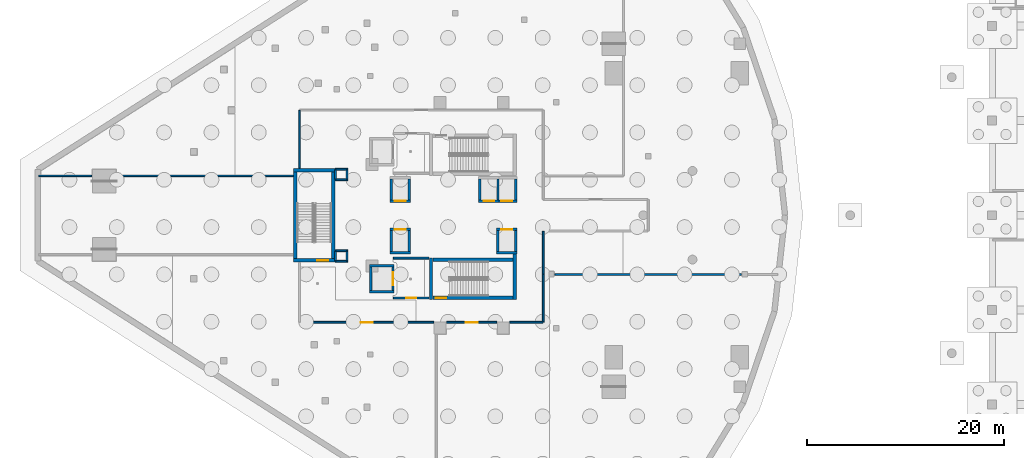
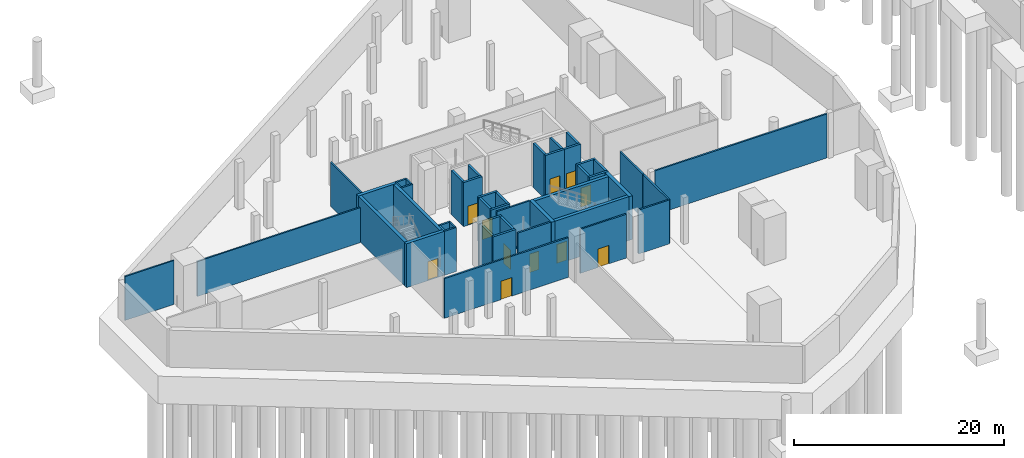
# One storey, part 5 of 22: 47 walls, 11 doors, 11 openings.
"""IFC4 building model written with IfcOpenShell, lengths in metres."""

from ifc_helpers import new_model, si_unit, direction, frame, frame_2d, origin, place, context, subcontext, project, spatial, rectangle, extrude, material, layer, layer_set, type_object, element, fill, save


model = new_model("IFC4")

# Units and contexts
model_context = context("Model", 3, precision=1e-05, world=origin(), true_north=direction((0.0, 1.0)))
body_context = subcontext(model_context, "Body", "Model", "MODEL_VIEW")
ifc_project = project(units=[si_unit("LENGTHUNIT", "METRE"), si_unit("AREAUNIT", "SQUARE_METRE"), si_unit("VOLUMEUNIT", "CUBIC_METRE"), si_unit("PLANEANGLEUNIT", "RADIAN"), si_unit("MASSUNIT", "GRAM", prefix="KILO")], contexts=[model_context])

# Site, building, storey
site_placement = place(None, origin())
site = spatial("IfcSite", under=ifc_project, at=site_placement, CompositionType="ELEMENT")
building_placement = place(site_placement, origin())
building = spatial("IfcBuilding", under=site, at=building_placement, Name="Qorvath Tower", CompositionType="ELEMENT")
storey_placement = place(building_placement, frame((0.0, 0.0, -5.39990234375)))
storey = spatial("IfcBuildingStorey", under=building, at=storey_placement, Name="B01", CompositionType="ELEMENT", Elevation=-5.39990234375)

# Walls
ifc_material_1 = material(Name="Gypsum shaftliner on steel studs", Category="steel")
ifc_layer_1 = layer(ifc_material_1, 0.179931640625)
ifc_layer_set_1 = layer_set([ifc_layer_1], Name="FW-LOBBY")
wall_type_1 = type_object("IfcWallType", Name="FW-LOBBY", PredefinedType="PARTITIONING", material=ifc_layer_set_1)
for number, where, z_axis, x_axis, name in (
    (1, (-32.989990234375, 3.594970703125, 0.0), (0.0, 0.0, 1.0), (-1.0, 0.0, 0.0), "MEP Riser Shaft Enclosure Wall N-B01-S"),
    (2, (-34.260009765625, 4.675048828125, 0.0), (0.0, 0.0, 1.0), (1.0, 0.0, 0.0), "MEP Riser Shaft Enclosure Wall N-B01-N"),
):
    element("IfcWall", number, at=place(storey_placement, frame(where, z_axis=z_axis, x_axis=x_axis)), inside=storey, type_object=wall_type_1, Name=name, PredefinedType="PARTITIONING", context=body_context, shape_type="SweptSolid", body=[
        extrude(rectangle(XDim=1.27001953125, YDim=0.179931640625, at=frame_2d((0.635009765625, 0.0))), origin(), (0.0, 0.0, 1.0), 5.099853515625),
    ])
for number, where, z_axis, x_axis, name in (
    (3, (-34.205078125, 3.659912109375, 0.0), (0.0, 0.0, 1.0), (0.0, 1.0, 0.0), "MEP Riser Shaft Enclosure Wall N-B01-W"),
    (4, (-33.044921875, 4.610107421875, 0.0), (0.0, 0.0, 1.0), (0.0, -1.0, 0.0), "MEP Riser Shaft Enclosure Wall N-B01-E"),
):
    element("IfcWall", number, at=place(storey_placement, frame(where, z_axis=z_axis, x_axis=x_axis)), inside=storey, type_object=wall_type_1, Name=name, PredefinedType="PARTITIONING", context=body_context, shape_type="SweptSolid", body=[
        extrude(rectangle(XDim=0.9501953125, YDim=0.179931640625, at=frame_2d((0.47509765625, 0.0))), origin(), (0.0, 0.0, 1.0), 5.099853515625),
    ])
for number, where, z_axis, x_axis, name in (
    (5, (-32.989990234375, -4.675048828125, 0.0), (0.0, 0.0, 1.0), (-1.0, 0.0, 0.0), "MEP Riser Shaft Enclosure Wall S-B01-S"),
    (6, (-34.260009765625, -3.594970703125, 0.0), (0.0, 0.0, 1.0), (1.0, 0.0, 0.0), "MEP Riser Shaft Enclosure Wall S-B01-N"),
):
    element("IfcWall", number, at=place(storey_placement, frame(where, z_axis=z_axis, x_axis=x_axis)), inside=storey, type_object=wall_type_1, Name=name, PredefinedType="PARTITIONING", context=body_context, shape_type="SweptSolid", body=[
        extrude(rectangle(XDim=1.27001953125, YDim=0.179931640625, at=frame_2d((0.635009765625, 0.0))), origin(), (0.0, 0.0, 1.0), 5.099853515625),
    ])
for number, where, z_axis, x_axis, name in (
    (7, (-34.205078125, -4.610107421875, 0.0), (0.0, 0.0, 1.0), (0.0, 1.0, 0.0), "MEP Riser Shaft Enclosure Wall S-B01-W"),
    (8, (-33.044921875, -3.659912109375, 0.0), (0.0, 0.0, 1.0), (0.0, -1.0, 0.0), "MEP Riser Shaft Enclosure Wall S-B01-E"),
):
    element("IfcWall", number, at=place(storey_placement, frame(where, z_axis=z_axis, x_axis=x_axis)), inside=storey, type_object=wall_type_1, Name=name, PredefinedType="PARTITIONING", context=body_context, shape_type="SweptSolid", body=[
        extrude(rectangle(XDim=0.9501953125, YDim=0.179931640625, at=frame_2d((0.47509765625, 0.0))), origin(), (0.0, 0.0, 1.0), 5.099853515625),
    ])

# Wall, opening, door
wall_1_placement = place(storey_placement, frame((-28.35498046875, -8.39990234375, 0.0), z_axis=(0.0, 0.0, 1.0), x_axis=(1.0, 0.0, 0.0)))
wall_1 = element("IfcWall", 9, at=wall_1_placement, inside=storey, type_object=wall_type_1, Name="Interior Partition IW-T1-B01-003", PredefinedType="PARTITIONING", context=body_context, shape_type="SweptSolid", body=[
    extrude(rectangle(XDim=3.6220703125, YDim=0.179931640625, at=frame_2d((1.81103515625, 0.0))), origin(), (0.0, 0.0, 1.0), 5.099853515625),
])
opening_1_placement = place(wall_1_placement, frame((1.31103515625, 0.0, 0.0)))
opening_1 = element("IfcOpeningElement", 10, at=opening_1_placement, cuts=wall_1, Name="Opening D-T1-B01-06", PredefinedType="OPENING", context=body_context, shape_type="SweptSolid", body=[
    extrude(rectangle(XDim=1.0, YDim=2.14990234375, at=frame_2d((0.5, 1.074951171875))), frame((0.0, 0.10009765625, 0.0), z_axis=(0.0, -1.0, 0.0), x_axis=(1.0, 0.0, 0.0)), (0.0, 0.0, 1.0), 0.199951171875),
])
ifc_material_2 = material(Name="Painted galvanised hollow metal", Category="steel")
door_type_1 = type_object("IfcDoorType", Name="FD-60", OperationType="NOTDEFINED", PredefinedType="DOOR", material=ifc_material_2)
door_1_placement = place(opening_1_placement, origin())
door_1 = element("IfcDoor", 11, at=door_1_placement, inside=storey, type_object=door_type_1, Name="Lobby Fire Service Elevator South Door D-T1-B01-06", OperationType="SINGLE_SWING_LEFT", OverallHeight=2.14990234375, OverallWidth=1.0, PredefinedType="DOOR", context=body_context, shape_type="SweptSolid", body=[
    extrude(rectangle(XDim=1.0, YDim=2.14990234375, at=frame_2d((0.5, 1.074951171875))), frame((0.0, 0.02490234375, 0.0), z_axis=(0.0, -1.0, 0.0), x_axis=(1.0, 0.0, 0.0)), (0.0, 0.0, 1.0), 0.050048828125),
])
fill(opening_1, door_1)

# Wall
wall_2_placement = place(storey_placement, frame((-24.73291015625, -4.35009765625, 0.0), z_axis=(0.0, 0.0, 1.0), x_axis=(-1.0, 0.0, 0.0)))
element("IfcWall", 12, at=wall_2_placement, inside=storey, type_object=wall_type_1, Name="Interior Partition IW-T1-B01-004", PredefinedType="PARTITIONING", context=body_context, shape_type="SweptSolid", body=[
    extrude(rectangle(XDim=3.6220703125, YDim=0.179931640625, at=frame_2d((1.81103515625, 0.0))), origin(), (0.0, 0.0, 1.0), 5.099853515625),
])

# Wall, opening, door
wall_3_placement = place(storey_placement, frame((-24.264892578125, -10.85791015625, 0.0), z_axis=(0.0, 0.0, 1.0), x_axis=(-1.0, 0.0, 0.0)))
wall_3 = element("IfcWall", 13, at=wall_3_placement, inside=storey, type_object=wall_type_1, Name="Interior Partition IW-T1-B01-014", PredefinedType="PARTITIONING", context=body_context, shape_type="SweptSolid", body=[
    extrude(rectangle(XDim=13.568115234375, YDim=0.179931640625, at=frame_2d((6.7841796875, 0.0))), origin(), (0.0, 0.0, 1.0), 4.61279296875),
])
opening_2_placement = place(wall_3_placement, frame((6.18408203125, 0.0, 0.0)))
opening_2 = element("IfcOpeningElement", 14, at=opening_2_placement, cuts=wall_3, Name="Opening D-T1-B01-02", PredefinedType="OPENING", context=body_context, shape_type="SweptSolid", body=[
    extrude(rectangle(XDim=1.199951171875, YDim=2.14990234375, at=frame_2d((0.60009765625, 1.074951171875))), frame((0.0, 0.10009765625, 0.0), z_axis=(0.0, -1.0, 0.0), x_axis=(1.0, 0.0, 0.0)), (0.0, 0.0, 1.0), 0.199951171875),
])
ifc_material_3 = material(Name="Painted galvanised hollow metal", Category="steel")
door_type_2 = type_object("IfcDoorType", Name="FD-60W", OperationType="NOTDEFINED", PredefinedType="DOOR", material=ifc_material_3)
door_2_placement = place(opening_2_placement, origin())
door_2 = element("IfcDoor", 15, at=door_2_placement, inside=storey, type_object=door_type_2, Name="Plant Booster and Fire Pump Room Door D-T1-B01-02", OperationType="SINGLE_SWING_LEFT", OverallHeight=2.14990234375, OverallWidth=1.199951171875, PredefinedType="DOOR", context=body_context, shape_type="SweptSolid", body=[
    extrude(rectangle(XDim=1.199951171875, YDim=2.14990234375, at=frame_2d((0.60009765625, 1.074951171875))), frame((0.0, 0.02490234375, 0.0), z_axis=(0.0, -1.0, 0.0), x_axis=(1.0, 0.0, 0.0)), (0.0, 0.0, 1.0), 0.050048828125),
])
fill(opening_2, door_2)

# Walls
wall_4_placement = place(storey_placement, frame((6.9599609375, -6.0, 0.0), z_axis=(0.0, 0.0, 1.0), x_axis=(-1.0, 0.0, 0.0)))
element("IfcWall", 16, at=wall_4_placement, inside=storey, type_object=wall_type_1, Name="Interior Partition IW-T1-B01-019", PredefinedType="PARTITIONING", context=body_context, shape_type="SweptSolid", body=[
    extrude(rectangle(XDim=18.919921875, YDim=0.179931640625, at=frame_2d((9.4599609375, 0.0))), origin(), (0.0, 0.0, 1.0), 5.099853515625),
])
wall_5_placement = place(storey_placement, frame((-13.14208984375, -6.02490234375, 0.0), z_axis=(0.0, 0.0, 1.0), x_axis=(0.0, -1.0, 0.0)))
element("IfcWall", 17, at=wall_5_placement, inside=storey, type_object=wall_type_1, Name="Interior Partition IW-T1-B01-020", PredefinedType="PARTITIONING", context=body_context, shape_type="SweptSolid", body=[
    extrude(rectangle(XDim=4.80810546875, YDim=0.179931640625, at=frame_2d((2.404052734375, 0.0))), origin(), (0.0, 0.0, 1.0), 5.099853515625),
])
wall_6_placement = place(storey_placement, frame((-13.1669921875, -10.85791015625, 0.0), z_axis=(0.0, 0.0, 1.0), x_axis=(-1.0, 0.0, 0.0)))
element("IfcWall", 18, at=wall_6_placement, inside=storey, type_object=wall_type_1, Name="Interior Partition IW-T1-B01-021", PredefinedType="PARTITIONING", context=body_context, shape_type="SweptSolid", body=[
    extrude(rectangle(XDim=3.367919921875, YDim=0.179931640625, at=frame_2d((1.68408203125, 0.0))), origin(), (0.0, 0.0, 1.0), 5.099853515625),
])

# Wall, opening, door
wall_7_placement = place(storey_placement, frame((-17.864990234375, -10.85791015625, 0.0), z_axis=(0.0, 0.0, 1.0), x_axis=(-1.0, 0.0, 0.0)))
wall_7 = element("IfcWall", 19, at=wall_7_placement, inside=storey, type_object=wall_type_1, Name="Interior Partition IW-T1-B01-022", PredefinedType="PARTITIONING", context=body_context, shape_type="SweptSolid", body=[
    extrude(rectangle(XDim=5.070068359375, YDim=0.179931640625, at=frame_2d((2.53515625, 0.0))), origin(), (0.0, 0.0, 1.0), 5.099853515625),
])
opening_3_placement = place(wall_7_placement, frame((1.93505859375, 0.0, 0.0)))
opening_3 = element("IfcOpeningElement", 20, at=opening_3_placement, cuts=wall_7, Name="Opening D-T1-B01-03", PredefinedType="OPENING", context=body_context, shape_type="SweptSolid", body=[
    extrude(rectangle(XDim=1.199951171875, YDim=2.14990234375, at=frame_2d((0.60009765625, 1.074951171875))), frame((0.0, 0.10009765625, 0.0), z_axis=(0.0, -1.0, 0.0), x_axis=(1.0, 0.0, 0.0)), (0.0, 0.0, 1.0), 0.199951171875),
])
door_3_placement = place(opening_3_placement, origin())
door_3 = element("IfcDoor", 21, at=door_3_placement, inside=storey, type_object=door_type_2, Name="Plant Electrical Substation Vault Door D-T1-B01-03", OperationType="SINGLE_SWING_RIGHT", OverallHeight=2.14990234375, OverallWidth=1.199951171875, PredefinedType="DOOR", context=body_context, shape_type="SweptSolid", body=[
    extrude(rectangle(XDim=1.199951171875, YDim=2.14990234375, at=frame_2d((0.60009765625, 1.074951171875))), frame((0.0, 0.02490234375, 0.0), z_axis=(0.0, -1.0, 0.0), x_axis=(1.0, 0.0, 0.0)), (0.0, 0.0, 1.0), 0.050048828125),
])
fill(opening_3, door_3)

# Walls
wall_8_placement = place(storey_placement, frame((-13.14208984375, -1.6328125, 0.0), z_axis=(0.0, 0.0, 1.0), x_axis=(0.0, -1.0, 0.0)))
element("IfcWall", 22, at=wall_8_placement, inside=storey, type_object=wall_type_1, Name="Interior Partition IW-T1-B01-027", PredefinedType="PARTITIONING", context=body_context, shape_type="SweptSolid", body=[
    extrude(rectangle(XDim=4.333984375, YDim=0.179931640625, at=frame_2d((2.1669921875, 0.0))), origin(), (0.0, 0.0, 1.0), 5.099853515625),
])
ifc_material_4 = material(Name="Double acoustic gypsum board on steel studs", Category="steel")
ifc_layer_2 = layer(ifc_material_4, 0.159912109375)
ifc_layer_set_2 = layer_set([ifc_layer_2], Name="IW-ACOUSTIC-160")
wall_type_2 = type_object("IfcWallType", Name="IW-ACOUSTIC-160", PredefinedType="PARTITIONING", material=ifc_layer_set_2)
wall_9_placement = place(storey_placement, frame((-64.339111328125, 4.0, 0.0), z_axis=(0.0, 0.0, 1.0), x_axis=(1.0, 0.0, 0.0)))
element("IfcWall", 23, at=wall_9_placement, inside=storey, type_object=wall_type_2, Name="Interior Partition IW-T1-B01-005", PredefinedType="PARTITIONING", context=body_context, shape_type="SweptSolid", body=[
    extrude(rectangle(XDim=5.39404296875, YDim=0.159912109375, at=frame_2d((2.697021484375, 0.0))), origin(), (0.0, 0.0, 1.0), 5.099853515625),
])
wall_10_placement = place(storey_placement, frame((-56.4150390625, 4.0, 0.0), z_axis=(0.0, 0.0, 1.0), x_axis=(1.0, 0.0, 0.0)))
element("IfcWall", 24, at=wall_10_placement, inside=storey, type_object=wall_type_2, Name="Interior Partition IW-T1-B01-006", PredefinedType="PARTITIONING", context=body_context, shape_type="SweptSolid", body=[
    extrude(rectangle(XDim=17.922119140625, YDim=0.159912109375, at=frame_2d((8.9609375, 0.0))), origin(), (0.0, 0.0, 1.0), 4.06982421875),
])
wall_11_placement = place(storey_placement, frame((-37.85791015625, 10.633056640625, 0.0), z_axis=(0.0, 0.0, 1.0), x_axis=(0.0, -1.0, 0.0)))
element("IfcWall", 25, at=wall_11_placement, inside=storey, type_object=wall_type_2, Name="Interior Partition IW-T1-B01-007", PredefinedType="PARTITIONING", context=body_context, shape_type="SweptSolid", body=[
    extrude(rectangle(XDim=5.849853515625, YDim=0.159912109375, at=frame_2d((2.9248046875, 0.0))), origin(), (0.0, 0.0, 1.0), 5.099853515625),
])
ifc_material_5 = material(Name="Concrete C60/75", Category="concrete")
ifc_layer_3 = layer(ifc_material_5, 0.260009765625)
ifc_layer_set_3 = layer_set([ifc_layer_3], Name="SW-SHAFT")
wall_type_3 = type_object("IfcWallType", Name="SW-SHAFT", PredefinedType="SHEAR", material=ifc_layer_set_3)
for number, where, z_axis, x_axis, name in (
    (26, (-28.260009765625, -7.77001953125, 0.0), (0.0, 0.0, 1.0), (-1.0, 0.0, 0.0), "Hoistway Wall FSAE-2 B01 S"),
    (27, (-30.739990234375, -5.1298828125, 0.0), (0.0, 0.0, 1.0), (1.0, 0.0, 0.0), "Hoistway Wall FSAE-2 B01 N"),
):
    element("IfcWall", number, at=place(storey_placement, frame(where, z_axis=z_axis, x_axis=x_axis)), inside=storey, type_object=wall_type_3, Name=name, PredefinedType="SHEAR", context=body_context, shape_type="SweptSolid", body=[
        extrude(rectangle(XDim=2.47998046875, YDim=0.239990234375, at=frame_2d((1.239990234375, 0.0))), origin(), (0.0, 0.0, 1.0), 5.099853515625),
    ])
wall_12_placement = place(storey_placement, frame((-30.6201171875, -7.637939453125, 0.0), z_axis=(0.0, 0.0, 1.0), x_axis=(0.0, 1.0, 0.0)))
element("IfcWall", 28, at=wall_12_placement, inside=storey, type_object=wall_type_3, Name="Hoistway Wall FSAE-2 B01 W", PredefinedType="SHEAR", context=body_context, shape_type="SweptSolid", body=[
    extrude(rectangle(XDim=2.3759765625, YDim=0.239990234375, at=frame_2d((1.18798828125, 0.0))), origin(), (0.0, 0.0, 1.0), 5.099853515625),
])

# Wall, opening, door
wall_13_placement = place(storey_placement, frame((-28.3798828125, -5.261962890625, 0.0), z_axis=(0.0, 0.0, 1.0), x_axis=(0.0, -1.0, 0.0)))
wall_13 = element("IfcWall", 29, at=wall_13_placement, inside=storey, type_object=wall_type_3, Name="Hoistway Wall FSAE-2 B01 E", PredefinedType="SHEAR", context=body_context, shape_type="SweptSolid", body=[
    extrude(rectangle(XDim=2.3759765625, YDim=0.239990234375, at=frame_2d((1.18798828125, 0.0))), origin(), (0.0, 0.0, 1.0), 5.099853515625),
])
opening_4_placement = place(wall_13_placement, frame((0.5380859375, 0.0, 0.0)))
opening_4 = element("IfcOpeningElement", 30, at=opening_4_placement, cuts=wall_13, Name="Opening LD-FSAE-2-B01", PredefinedType="OPENING", context=body_context, shape_type="SweptSolid", body=[
    extrude(rectangle(XDim=1.300048828125, YDim=2.300048828125, at=frame_2d((0.64990234375, 1.14990234375))), frame((0.0, 0.1298828125, 0.0), z_axis=(0.0, -1.0, 0.0), x_axis=(1.0, 0.0, 0.0)), (0.0, 0.0, 1.0), 0.260009765625),
])
ifc_material_6 = material(Name="Brushed stainless steel AISI 316", Category="steel")
door_type_3 = type_object("IfcDoorType", Name="LD-02", OperationType="NOTDEFINED", PredefinedType="DOOR", material=ifc_material_6)
door_4_placement = place(opening_4_placement, origin())
door_4 = element("IfcDoor", 31, at=door_4_placement, inside=storey, type_object=door_type_3, Name="Elevator Landing Sliding Door LD-FSAE-2-B01", OperationType="DOUBLE_DOOR_SLIDING", OverallHeight=2.300048828125, OverallWidth=1.300048828125, PredefinedType="DOOR", context=body_context, shape_type="SweptSolid", body=[
    extrude(rectangle(XDim=1.300048828125, YDim=2.300048828125, at=frame_2d((0.64990234375, 1.14990234375))), frame((0.0, 0.02490234375, 0.0), z_axis=(0.0, -1.0, 0.0), x_axis=(1.0, 0.0, 0.0)), (0.0, 0.0, 1.0), 0.050048828125),
])
fill(opening_4, door_4)

wall_14_placement = place(storey_placement, frame((-26.610107421875, 1.429931640625, 0.0), z_axis=(0.0, 0.0, 1.0), x_axis=(-1.0, 0.0, 0.0)))
wall_14 = element("IfcWall", 32, at=wall_14_placement, inside=storey, type_object=wall_type_3, Name="Hoistway Wall PS-1 B01 S", PredefinedType="SHEAR", context=body_context, shape_type="SweptSolid", body=[
    extrude(rectangle(XDim=2.079833984375, YDim=0.239990234375, at=frame_2d((1.0400390625, 0.0))), origin(), (0.0, 0.0, 1.0), 5.099853515625),
])
opening_5_placement = place(wall_14_placement, frame((0.48974609375, 0.0, 0.0)))
opening_5 = element("IfcOpeningElement", 33, at=opening_5_placement, cuts=wall_14, Name="Opening LD-PS-1-B01", PredefinedType="OPENING", context=body_context, shape_type="SweptSolid", body=[
    extrude(rectangle(XDim=1.10009765625, YDim=2.199951171875, at=frame_2d((0.550048828125, 1.10009765625))), frame((0.0, 0.1298828125, 0.0), z_axis=(0.0, -1.0, 0.0), x_axis=(1.0, 0.0, 0.0)), (0.0, 0.0, 1.0), 0.260009765625),
])
ifc_material_7 = material(Name="Brushed stainless steel AISI 316", Category="steel")
door_type_4 = type_object("IfcDoorType", Name="LD-01", OperationType="NOTDEFINED", PredefinedType="DOOR", material=ifc_material_7)
door_5_placement = place(opening_5_placement, origin())
door_5 = element("IfcDoor", 34, at=door_5_placement, inside=storey, type_object=door_type_4, Name="Elevator Landing Sliding Door LD-PS-1-B01", OperationType="DOUBLE_DOOR_SLIDING", OverallHeight=2.199951171875, OverallWidth=1.10009765625, PredefinedType="DOOR", context=body_context, shape_type="SweptSolid", body=[
    extrude(rectangle(XDim=1.10009765625, YDim=2.199951171875, at=frame_2d((0.550048828125, 1.10009765625))), frame((0.0, 0.02490234375, 0.0), z_axis=(0.0, -1.0, 0.0), x_axis=(1.0, 0.0, 0.0)), (0.0, 0.0, 1.0), 0.050048828125),
])
fill(opening_5, door_5)

# Walls
for number, where, z_axis, x_axis, name in (
    (35, (-28.570068359375, 1.56201171875, 0.0), (0.0, 0.0, 1.0), (0.0, 1.0, 0.0), "Hoistway Wall PS-1 B01 W"),
    (36, (-26.72998046875, 3.68798828125, 0.0), (0.0, 0.0, 1.0), (0.0, -1.0, 0.0), "Hoistway Wall PS-1 B01 E"),
):
    element("IfcWall", number, at=place(storey_placement, frame(where, z_axis=z_axis, x_axis=x_axis)), inside=storey, type_object=wall_type_3, Name=name, PredefinedType="SHEAR", context=body_context, shape_type="SweptSolid", body=[
        extrude(rectangle(XDim=2.1259765625, YDim=0.239990234375, at=frame_2d((1.06298828125, 0.0))), origin(), (0.0, 0.0, 1.0), 5.099853515625),
    ])

# Wall, opening, door
wall_15_placement = place(storey_placement, frame((-17.610107421875, 1.429931640625, 0.0), z_axis=(0.0, 0.0, 1.0), x_axis=(-1.0, 0.0, 0.0)))
wall_15 = element("IfcWall", 37, at=wall_15_placement, inside=storey, type_object=wall_type_3, Name="Hoistway Wall PL-1 B01 S", PredefinedType="SHEAR", context=body_context, shape_type="SweptSolid", body=[
    extrude(rectangle(XDim=2.079833984375, YDim=0.239990234375, at=frame_2d((1.0400390625, 0.0))), origin(), (0.0, 0.0, 1.0), 5.099853515625),
])
opening_6_placement = place(wall_15_placement, frame((0.48974609375, 0.0, 0.0)))
opening_6 = element("IfcOpeningElement", 38, at=opening_6_placement, cuts=wall_15, Name="Opening LD-PL-1-B01", PredefinedType="OPENING", context=body_context, shape_type="SweptSolid", body=[
    extrude(rectangle(XDim=1.10009765625, YDim=2.199951171875, at=frame_2d((0.550048828125, 1.10009765625))), frame((0.0, 0.1298828125, 0.0), z_axis=(0.0, -1.0, 0.0), x_axis=(1.0, 0.0, 0.0)), (0.0, 0.0, 1.0), 0.260009765625),
])
door_6_placement = place(opening_6_placement, origin())
door_6 = element("IfcDoor", 39, at=door_6_placement, inside=storey, type_object=door_type_4, Name="Elevator Landing Sliding Door LD-PL-1-B01", OperationType="DOUBLE_DOOR_SLIDING", OverallHeight=2.199951171875, OverallWidth=1.10009765625, PredefinedType="DOOR", context=body_context, shape_type="SweptSolid", body=[
    extrude(rectangle(XDim=1.10009765625, YDim=2.199951171875, at=frame_2d((0.550048828125, 1.10009765625))), frame((0.0, 0.02490234375, 0.0), z_axis=(0.0, -1.0, 0.0), x_axis=(1.0, 0.0, 0.0)), (0.0, 0.0, 1.0), 0.050048828125),
])
fill(opening_6, door_6)

# Walls
for number, where, z_axis, x_axis, name in (
    (40, (-19.570068359375, 1.56201171875, 0.0), (0.0, 0.0, 1.0), (0.0, 1.0, 0.0), "Hoistway Wall PL-1 B01 W"),
    (41, (-17.72998046875, 3.68798828125, 0.0), (0.0, 0.0, 1.0), (0.0, -1.0, 0.0), "Hoistway Wall PL-1 B01 E"),
):
    element("IfcWall", number, at=place(storey_placement, frame(where, z_axis=z_axis, x_axis=x_axis)), inside=storey, type_object=wall_type_3, Name=name, PredefinedType="SHEAR", context=body_context, shape_type="SweptSolid", body=[
        extrude(rectangle(XDim=2.1259765625, YDim=0.239990234375, at=frame_2d((1.06298828125, 0.0))), origin(), (0.0, 0.0, 1.0), 5.099853515625),
    ])

# Wall, opening, door
wall_16_placement = place(storey_placement, frame((-15.81005859375, 1.429931640625, 0.0), z_axis=(0.0, 0.0, 1.0), x_axis=(-1.0, 0.0, 0.0)))
wall_16 = element("IfcWall", 42, at=wall_16_placement, inside=storey, type_object=wall_type_3, Name="Hoistway Wall PL-3 B01 S", PredefinedType="SHEAR", context=body_context, shape_type="SweptSolid", body=[
    extrude(rectangle(XDim=1.800048828125, YDim=0.239990234375, at=frame_2d((0.89990234375, 0.0))), origin(), (0.0, 0.0, 1.0), 5.099853515625),
])
opening_7_placement = place(wall_16_placement, frame((0.489990234375, 0.0, 0.0)))
opening_7 = element("IfcOpeningElement", 43, at=opening_7_placement, cuts=wall_16, Name="Opening LD-PL-3-B01", PredefinedType="OPENING", context=body_context, shape_type="SweptSolid", body=[
    extrude(rectangle(XDim=1.10009765625, YDim=2.199951171875, at=frame_2d((0.550048828125, 1.10009765625))), frame((0.0, 0.1298828125, 0.0), z_axis=(0.0, -1.0, 0.0), x_axis=(1.0, 0.0, 0.0)), (0.0, 0.0, 1.0), 0.260009765625),
])
door_7_placement = place(opening_7_placement, origin())
door_7 = element("IfcDoor", 44, at=door_7_placement, inside=storey, type_object=door_type_4, Name="Elevator Landing Sliding Door LD-PL-3-B01", OperationType="DOUBLE_DOOR_SLIDING", OverallHeight=2.199951171875, OverallWidth=1.10009765625, PredefinedType="DOOR", context=body_context, shape_type="SweptSolid", body=[
    extrude(rectangle(XDim=1.10009765625, YDim=2.199951171875, at=frame_2d((0.550048828125, 1.10009765625))), frame((0.0, 0.02490234375, 0.0), z_axis=(0.0, -1.0, 0.0), x_axis=(1.0, 0.0, 0.0)), (0.0, 0.0, 1.0), 0.050048828125),
])
fill(opening_7, door_7)

# Walls
wall_17_placement = place(storey_placement, frame((-15.929931640625, 3.68798828125, 0.0), z_axis=(0.0, 0.0, 1.0), x_axis=(0.0, -1.0, 0.0)))
element("IfcWall", 45, at=wall_17_placement, inside=storey, type_object=wall_type_3, Name="Hoistway Wall PL-3 B01 E", PredefinedType="SHEAR", context=body_context, shape_type="SweptSolid", body=[
    extrude(rectangle(XDim=2.1259765625, YDim=0.239990234375, at=frame_2d((1.06298828125, 0.0))), origin(), (0.0, 0.0, 1.0), 5.099853515625),
])
wall_18_placement = place(storey_placement, frame((-26.610107421875, -3.820068359375, 0.0), z_axis=(0.0, 0.0, 1.0), x_axis=(-1.0, 0.0, 0.0)))
element("IfcWall", 46, at=wall_18_placement, inside=storey, type_object=wall_type_3, Name="Hoistway Wall PS-2 B01 S", PredefinedType="SHEAR", context=body_context, shape_type="SweptSolid", body=[
    extrude(rectangle(XDim=2.079833984375, YDim=0.239990234375, at=frame_2d((1.0400390625, 0.0))), origin(), (0.0, 0.0, 1.0), 5.099853515625),
])

# Wall, opening, door
wall_19_placement = place(storey_placement, frame((-28.68994140625, -1.429931640625, 0.0), z_axis=(0.0, 0.0, 1.0), x_axis=(1.0, 0.0, 0.0)))
wall_19 = element("IfcWall", 47, at=wall_19_placement, inside=storey, type_object=wall_type_3, Name="Hoistway Wall PS-2 B01 N", PredefinedType="SHEAR", context=body_context, shape_type="SweptSolid", body=[
    extrude(rectangle(XDim=2.079833984375, YDim=0.239990234375, at=frame_2d((1.0400390625, 0.0))), origin(), (0.0, 0.0, 1.0), 5.099853515625),
])
opening_8_placement = place(wall_19_placement, frame((0.489990234375, 0.0, 0.0)))
opening_8 = element("IfcOpeningElement", 48, at=opening_8_placement, cuts=wall_19, Name="Opening LD-PS-2-B01", PredefinedType="OPENING", context=body_context, shape_type="SweptSolid", body=[
    extrude(rectangle(XDim=1.10009765625, YDim=2.199951171875, at=frame_2d((0.550048828125, 1.10009765625))), frame((0.0, 0.1298828125, 0.0), z_axis=(0.0, -1.0, 0.0), x_axis=(1.0, 0.0, 0.0)), (0.0, 0.0, 1.0), 0.260009765625),
])
door_8_placement = place(opening_8_placement, origin())
door_8 = element("IfcDoor", 49, at=door_8_placement, inside=storey, type_object=door_type_4, Name="Elevator Landing Sliding Door LD-PS-2-B01", OperationType="DOUBLE_DOOR_SLIDING", OverallHeight=2.199951171875, OverallWidth=1.10009765625, PredefinedType="DOOR", context=body_context, shape_type="SweptSolid", body=[
    extrude(rectangle(XDim=1.10009765625, YDim=2.199951171875, at=frame_2d((0.550048828125, 1.10009765625))), frame((0.0, 0.02490234375, 0.0), z_axis=(0.0, -1.0, 0.0), x_axis=(1.0, 0.0, 0.0)), (0.0, 0.0, 1.0), 0.050048828125),
])
fill(opening_8, door_8)

# Walls
for number, where, z_axis, x_axis, name in (
    (50, (-28.570068359375, -3.68798828125, 0.0), (0.0, 0.0, 1.0), (0.0, 1.0, 0.0), "Hoistway Wall PS-2 B01 W"),
    (51, (-26.72998046875, -1.56201171875, 0.0), (0.0, 0.0, 1.0), (0.0, -1.0, 0.0), "Hoistway Wall PS-2 B01 E"),
):
    element("IfcWall", number, at=place(storey_placement, frame(where, z_axis=z_axis, x_axis=x_axis)), inside=storey, type_object=wall_type_3, Name=name, PredefinedType="SHEAR", context=body_context, shape_type="SweptSolid", body=[
        extrude(rectangle(XDim=2.1259765625, YDim=0.239990234375, at=frame_2d((1.06298828125, 0.0))), origin(), (0.0, 0.0, 1.0), 5.099853515625),
    ])
wall_20_placement = place(storey_placement, frame((-15.81005859375, -3.820068359375, 0.0), z_axis=(0.0, 0.0, 1.0), x_axis=(-1.0, 0.0, 0.0)))
element("IfcWall", 52, at=wall_20_placement, inside=storey, type_object=wall_type_3, Name="Hoistway Wall PL-2 B01 S", PredefinedType="SHEAR", context=body_context, shape_type="SweptSolid", body=[
    extrude(rectangle(XDim=2.079833984375, YDim=0.239990234375, at=frame_2d((1.0400390625, 0.0))), origin(), (0.0, 0.0, 1.0), 5.099853515625),
])

# Wall, opening, door
wall_21_placement = place(storey_placement, frame((-17.889892578125, -1.429931640625, 0.0), z_axis=(0.0, 0.0, 1.0), x_axis=(1.0, 0.0, 0.0)))
wall_21 = element("IfcWall", 53, at=wall_21_placement, inside=storey, type_object=wall_type_3, Name="Hoistway Wall PL-2 B01 N", PredefinedType="SHEAR", context=body_context, shape_type="SweptSolid", body=[
    extrude(rectangle(XDim=2.079833984375, YDim=0.239990234375, at=frame_2d((1.0400390625, 0.0))), origin(), (0.0, 0.0, 1.0), 5.099853515625),
])
opening_9_placement = place(wall_21_placement, frame((0.48974609375, 0.0, 0.0)))
opening_9 = element("IfcOpeningElement", 54, at=opening_9_placement, cuts=wall_21, Name="Opening LD-PL-2-B01", PredefinedType="OPENING", context=body_context, shape_type="SweptSolid", body=[
    extrude(rectangle(XDim=1.10009765625, YDim=2.199951171875, at=frame_2d((0.550048828125, 1.10009765625))), frame((0.0, 0.1298828125, 0.0), z_axis=(0.0, -1.0, 0.0), x_axis=(1.0, 0.0, 0.0)), (0.0, 0.0, 1.0), 0.260009765625),
])
door_9_placement = place(opening_9_placement, origin())
door_9 = element("IfcDoor", 55, at=door_9_placement, inside=storey, type_object=door_type_4, Name="Elevator Landing Sliding Door LD-PL-2-B01", OperationType="DOUBLE_DOOR_SLIDING", OverallHeight=2.199951171875, OverallWidth=1.10009765625, PredefinedType="DOOR", context=body_context, shape_type="SweptSolid", body=[
    extrude(rectangle(XDim=1.10009765625, YDim=2.199951171875, at=frame_2d((0.550048828125, 1.10009765625))), frame((0.0, 0.02490234375, 0.0), z_axis=(0.0, -1.0, 0.0), x_axis=(1.0, 0.0, 0.0)), (0.0, 0.0, 1.0), 0.050048828125),
])
fill(opening_9, door_9)

# Walls
for number, where, z_axis, x_axis, name in (
    (56, (-17.77001953125, -3.68798828125, 0.0), (0.0, 0.0, 1.0), (0.0, 1.0, 0.0), "Hoistway Wall PL-2 B01 W"),
    (57, (-15.929931640625, -1.56201171875, 0.0), (0.0, 0.0, 1.0), (0.0, -1.0, 0.0), "Hoistway Wall PL-2 B01 E"),
):
    element("IfcWall", number, at=place(storey_placement, frame(where, z_axis=z_axis, x_axis=x_axis)), inside=storey, type_object=wall_type_3, Name=name, PredefinedType="SHEAR", context=body_context, shape_type="SweptSolid", body=[
        extrude(rectangle(XDim=2.1259765625, YDim=0.239990234375, at=frame_2d((1.06298828125, 0.0))), origin(), (0.0, 0.0, 1.0), 5.099853515625),
    ])
ifc_material_8 = material(Name="Concrete C60/75", Category="concrete")
ifc_layer_4 = layer(ifc_material_8, 0.35009765625)
ifc_layer_set_4 = layer_set([ifc_layer_4], Name="SW-STAIR")
wall_type_4 = type_object("IfcWallType", Name="SW-STAIR", PredefinedType="SHEAR", material=ifc_layer_set_4)
wall_22_placement = place(storey_placement, frame((-24.52490234375, -4.340087890625, 0.0), z_axis=(0.0, 0.0, 1.0), x_axis=(0.0, -1.0, 0.0)))
element("IfcWall", 58, at=wall_22_placement, inside=storey, type_object=wall_type_4, Name="Stair TS2 Shear Wall B01 NEAR", PredefinedType="SHEAR", context=body_context, shape_type="SweptSolid", body=[
    extrude(rectangle(XDim=4.2099609375, YDim=0.35009765625, at=frame_2d((2.10498046875, 0.0))), origin(), (0.0, 0.0, 1.0), 5.099853515625),
])
wall_23_placement = place(storey_placement, frame((-16.02490234375, -8.550048828125, 0.0), z_axis=(0.0, 0.0, 1.0), x_axis=(0.0, 1.0, 0.0)))
element("IfcWall", 59, at=wall_23_placement, inside=storey, type_object=wall_type_4, Name="Stair TS2 Shear Wall B01 FAR", PredefinedType="SHEAR", context=body_context, shape_type="SweptSolid", body=[
    extrude(rectangle(XDim=4.610107421875, YDim=0.35009765625, at=frame_2d((2.30517578125, 0.0))), origin(), (0.0, 0.0, 1.0), 5.099853515625),
])

# Wall, opening, door
wall_24_placement = place(storey_placement, frame((-24.3349609375, -8.375, 0.0), z_axis=(0.0, 0.0, 1.0), x_axis=(1.0, 0.0, 0.0)))
wall_24 = element("IfcWall", 60, at=wall_24_placement, inside=storey, type_object=wall_type_4, Name="Stair TS2 Shear Wall B01 LEFT", PredefinedType="SHEAR", context=body_context, shape_type="SweptSolid", body=[
    extrude(rectangle(XDim=8.119873046875, YDim=0.35009765625, at=frame_2d((4.06005859375, 0.0))), origin(), (0.0, 0.0, 1.0), 5.099853515625),
])
opening_10_placement = place(wall_24_placement, frame((0.280029296875, 0.0, 0.0)))
opening_10 = element("IfcOpeningElement", 61, at=opening_10_placement, cuts=wall_24, Name="Opening D-TS2-B01", PredefinedType="OPENING", context=body_context, shape_type="SweptSolid", body=[
    extrude(rectangle(XDim=1.10009765625, YDim=2.199951171875, at=frame_2d((0.550048828125, 1.10009765625))), frame((0.0, 0.18505859375, 0.0), z_axis=(0.0, -1.0, 0.0), x_axis=(1.0, 0.0, 0.0)), (0.0, 0.0, 1.0), 0.3701171875),
])
ifc_material_9 = material(Name="Painted galvanised hollow metal", Category="steel")
door_type_5 = type_object("IfcDoorType", Name="FD-90", OperationType="NOTDEFINED", PredefinedType="DOOR", material=ifc_material_9)
door_10_placement = place(opening_10_placement, origin())
door_10 = element("IfcDoor", 62, at=door_10_placement, inside=storey, type_object=door_type_5, Name="Stair TS2 Fire Door B01", OperationType="SINGLE_SWING_RIGHT", OverallHeight=2.199951171875, OverallWidth=1.10009765625, PredefinedType="DOOR", context=body_context, shape_type="SweptSolid", body=[
    extrude(rectangle(XDim=1.10009765625, YDim=2.199951171875, at=frame_2d((0.550048828125, 1.10009765625))), frame((0.0, 0.02490234375, 0.0), z_axis=(0.0, -1.0, 0.0), x_axis=(1.0, 0.0, 0.0)), (0.0, 0.0, 1.0), 0.050048828125),
])
fill(opening_10, door_10)

# Wall
wall_25_placement = place(storey_placement, frame((-16.215087890625, -4.514892578125, 0.0), z_axis=(0.0, 0.0, 1.0), x_axis=(-1.0, 0.0, 0.0)))
element("IfcWall", 63, at=wall_25_placement, inside=storey, type_object=wall_type_4, Name="Stair TS2 Shear Wall B01 RIGHT", PredefinedType="SHEAR", context=body_context, shape_type="SweptSolid", body=[
    extrude(rectangle(XDim=8.119873046875, YDim=0.35009765625, at=frame_2d((4.06005859375, 0.0))), origin(), (0.0, 0.0, 1.0), 5.099853515625),
])

# Wall, opening, door
wall_26_placement = place(storey_placement, frame((-38.4599609375, -4.574951171875, 0.0), z_axis=(0.0, 0.0, 1.0), x_axis=(1.0, 0.0, 0.0)))
wall_26 = element("IfcWall", 64, at=wall_26_placement, inside=storey, type_object=wall_type_4, Name="Stair TS3 Shear Wall B01 NEAR", PredefinedType="SHEAR", context=body_context, shape_type="SweptSolid", body=[
    extrude(rectangle(XDim=4.2099609375, YDim=0.35009765625, at=frame_2d((2.10498046875, 0.0))), origin(), (0.0, 0.0, 1.0), 5.099853515625),
])
opening_11_placement = place(wall_26_placement, frame((2.389892578125, 0.0, 0.0)))
opening_11 = element("IfcOpeningElement", 65, at=opening_11_placement, cuts=wall_26, Name="Opening D-TS3-B01", PredefinedType="OPENING", context=body_context, shape_type="SweptSolid", body=[
    extrude(rectangle(XDim=1.10009765625, YDim=2.199951171875, at=frame_2d((0.550048828125, 1.10009765625))), frame((0.0, 0.18505859375, 0.0), z_axis=(0.0, -1.0, 0.0), x_axis=(1.0, 0.0, 0.0)), (0.0, 0.0, 1.0), 0.3701171875),
])
door_11_placement = place(opening_11_placement, origin())
door_11 = element("IfcDoor", 66, at=door_11_placement, inside=storey, type_object=door_type_5, Name="Stair TS3 Fire Door B01", OperationType="SINGLE_SWING_RIGHT", OverallHeight=2.199951171875, OverallWidth=1.10009765625, PredefinedType="DOOR", context=body_context, shape_type="SweptSolid", body=[
    extrude(rectangle(XDim=1.10009765625, YDim=2.199951171875, at=frame_2d((0.550048828125, 1.10009765625))), frame((0.0, 0.02490234375, 0.0), z_axis=(0.0, -1.0, 0.0), x_axis=(1.0, 0.0, 0.0)), (0.0, 0.0, 1.0), 0.050048828125),
])
fill(opening_11, door_11)

# Walls
wall_27_placement = place(storey_placement, frame((-34.25, 4.574951171875, 0.0), z_axis=(0.0, 0.0, 1.0), x_axis=(-1.0, 0.0, 0.0)))
element("IfcWall", 67, at=wall_27_placement, inside=storey, type_object=wall_type_4, Name="Stair TS3 Shear Wall B01 FAR", PredefinedType="SHEAR", context=body_context, shape_type="SweptSolid", body=[
    extrude(rectangle(XDim=4.2099609375, YDim=0.35009765625, at=frame_2d((2.10498046875, 0.0))), origin(), (0.0, 0.0, 1.0), 5.099853515625),
])
for number, where, z_axis, x_axis, name in (
    (68, (-34.425048828125, -4.385009765625, 0.0), (0.0, 0.0, 1.0), (0.0, 1.0, 0.0), "Stair TS3 Shear Wall B01 LEFT"),
    (69, (-38.284912109375, 4.385009765625, 0.0), (0.0, 0.0, 1.0), (0.0, -1.0, 0.0), "Stair TS3 Shear Wall B01 RIGHT"),
):
    element("IfcWall", number, at=place(storey_placement, frame(where, z_axis=z_axis, x_axis=x_axis)), inside=storey, type_object=wall_type_4, Name=name, PredefinedType="SHEAR", context=body_context, shape_type="SweptSolid", body=[
        extrude(rectangle(XDim=8.77001953125, YDim=0.35009765625, at=frame_2d((4.385009765625, 0.0))), origin(), (0.0, 0.0, 1.0), 5.099853515625),
    ])

save(model, "model.ifc")
